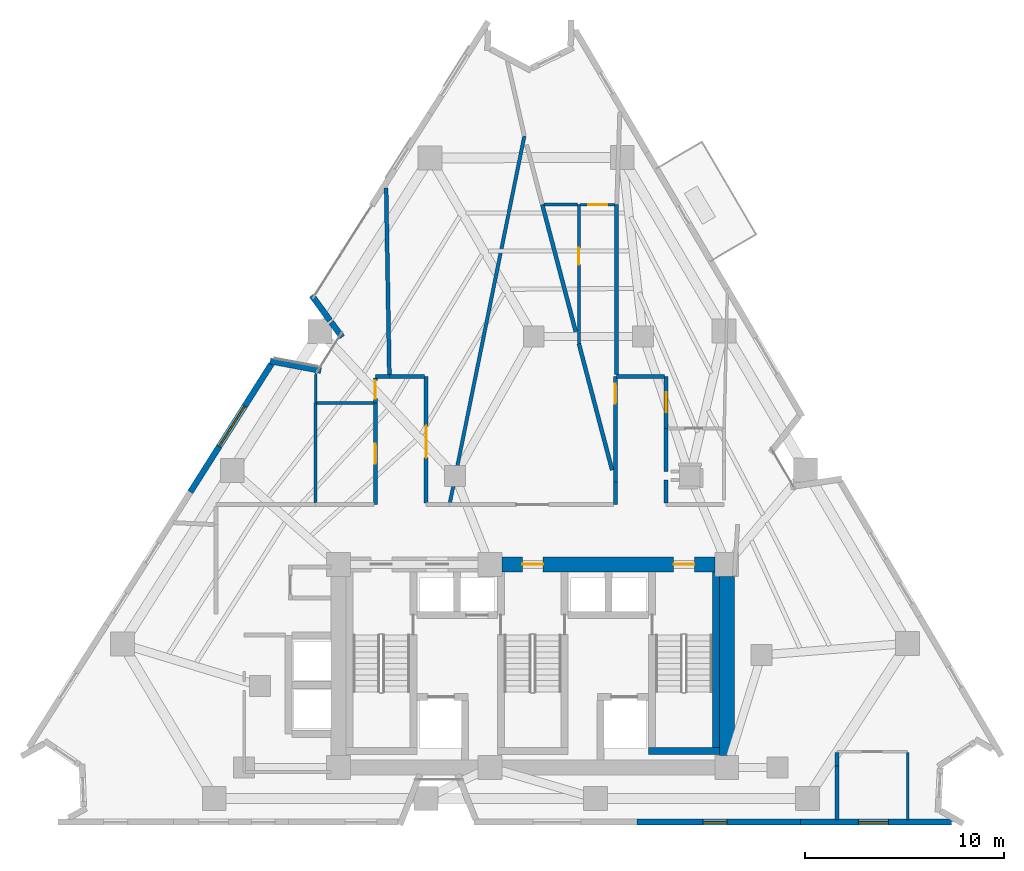
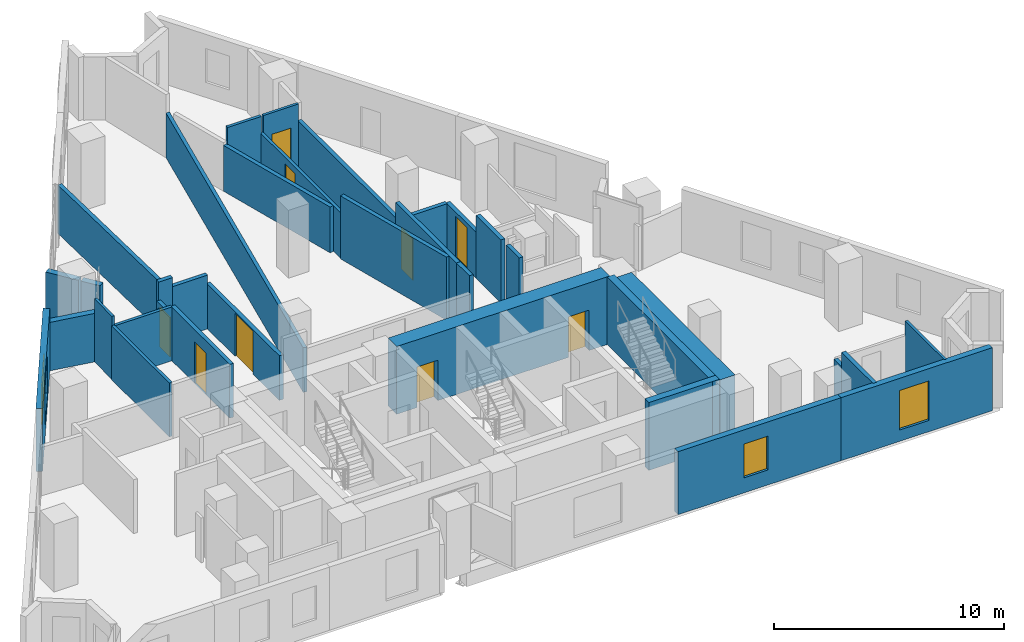
# One storey, part 7 of 11: 35 walls, 9 doors, 3 windows, 12 openings.
"""IFC4 building model written with IfcOpenShell, lengths in metres."""

from ifc_helpers import new_model, si_unit, direction, frame, frame_2d, origin, place, context, subcontext, project, spatial, rectangle, extrude, material, layer, layer_set, type_object, element, fill, save


model = new_model("IFC4")

# Units and contexts
model_context = context("Model", 3, precision=1e-05, world=origin(), true_north=direction((0.0, 1.0)))
body_context = subcontext(model_context, "Body", "Model", "MODEL_VIEW")
ifc_project = project(units=[si_unit("LENGTHUNIT", "METRE"), si_unit("AREAUNIT", "SQUARE_METRE"), si_unit("VOLUMEUNIT", "CUBIC_METRE"), si_unit("PLANEANGLEUNIT", "RADIAN"), si_unit("MASSUNIT", "GRAM", prefix="KILO")], contexts=[model_context])

# Site, building, storey
site_placement = place(None, origin())
site = spatial("IfcSite", under=ifc_project, at=site_placement, CompositionType="ELEMENT")
building_placement = place(site_placement, origin())
building = spatial("IfcBuilding", under=site, at=building_placement, Name="Almagre Mirador Tower", CompositionType="ELEMENT")
storey_placement = place(building_placement, frame((0.0, 0.0, 124.800048828125)))
storey = spatial("IfcBuildingStorey", under=building, at=storey_placement, Name="L31", CompositionType="ELEMENT", Elevation=124.800048828125)

# Walls
ifc_material_1 = material(Name="Precast concrete C50/60", Category="concrete")
ifc_layer_1 = layer(ifc_material_1, 0.300048828125)
ifc_layer_set_1 = layer_set([ifc_layer_1], Name="Precast concrete C50/60")
wall_type_1 = type_object("IfcWallType", Name="WAL-EXT-300", PredefinedType="SOLIDWALL", material=ifc_layer_set_1)
wall_1_placement = place(storey_placement, frame((24.111328125, 24.968017578125, 0.0), z_axis=(0.0, 0.0, 1.0), x_axis=(0.982733402646, -0.185027185367, 0.0)))
element("IfcWall", 1, at=wall_1_placement, inside=storey, type_object=wall_type_1, Name="L31 expressed almagre precast frame wall 01", PredefinedType="SOLIDWALL", context=body_context, shape_type="SweptSolid", body=[
    extrude(rectangle(XDim=2.593994140625, YDim=0.300048828125, at=frame_2d((1.296875, 0.0))), origin(), (0.0, 0.0, 1.0), 2.574951171875),
])
wall_2_placement = place(storey_placement, frame((27.72314453125, 26.166748046875, 0.0), z_axis=(0.0, 0.0, 1.0), x_axis=(-0.587159290159, 0.809471412701, 0.0)))
element("IfcWall", 2, at=wall_2_placement, inside=storey, type_object=wall_type_1, Name="L31 expressed almagre precast frame wall 02", PredefinedType="SOLIDWALL", context=body_context, shape_type="SweptSolid", body=[
    extrude(rectangle(XDim=0.91796875, YDim=0.300048828125, at=frame_2d((0.458984375, 0.0))), origin(), (0.0, 0.0, 1.0), 2.574951171875),
])
wall_3_placement = place(storey_placement, frame((27.11279296875, 27.008056640625, 0.0), z_axis=(0.0, 0.0, 1.0), x_axis=(-0.58731233988, 0.809360374262, 0.0)))
element("IfcWall", 3, at=wall_3_placement, inside=storey, type_object=wall_type_1, Name="L31 expressed almagre precast frame wall 03", PredefinedType="SOLIDWALL", context=body_context, shape_type="SweptSolid", body=[
    extrude(rectangle(XDim=1.5546875, YDim=0.300048828125, at=frame_2d((0.77734375, 0.0))), origin(), (0.0, 0.0, 1.0), 2.574951171875),
])

# Wall, opening, window
wall_4_placement = place(storey_placement, frame((58.344970703125, 1.800048828125, 0.0), z_axis=(0.0, 0.0, 1.0), x_axis=(-1.0, 0.0, 0.0)))
wall_4 = element("IfcWall", 4, at=wall_4_placement, inside=storey, type_object=wall_type_1, Name="L31 expressed almagre precast frame wall 21", PredefinedType="SOLIDWALL", context=body_context, shape_type="SweptSolid", body=[
    extrude(rectangle(XDim=7.603759765625, YDim=0.300048828125, at=frame_2d((3.8017578125, 0.0))), origin(), (0.0, 0.0, 1.0), 3.349853515625),
])
opening_1_placement = place(wall_4_placement, frame((3.179931640625, 0.0, 0.60009765625)))
opening_1 = element("IfcOpeningElement", 5, at=opening_1_placement, cuts=wall_4, Name="Opening WN-03", PredefinedType="OPENING", context=body_context, shape_type="SweptSolid", body=[
    extrude(rectangle(XDim=1.5, YDim=2.10009765625, at=frame_2d((0.75, 1.050048828125))), frame((0.0, 0.159902, 0.0), z_axis=(0.0, -1.0, 0.0), x_axis=(1.0, 0.0, 0.0)), (0.0, 0.0, 1.0), 0.320049),
])
ifc_material_2 = material(Name="Dark solar-control laminated hurricane glass", Category="glass")
window_type_1 = type_object("IfcWindowType", Name="WIN-1500X2100", PartitioningType="DOUBLE_PANEL_VERTICAL", PredefinedType="WINDOW", material=ifc_material_2)
window_1_placement = place(opening_1_placement, origin())
window_1 = element("IfcWindow", 6, at=window_1_placement, inside=storey, type_object=window_type_1, Name="L31 recessed hurricane window L31-UC-KT", OverallHeight=2.10009765625, OverallWidth=1.5, PartitioningType="SINGLE_PANEL", PredefinedType="WINDOW", context=body_context, shape_type="SweptSolid", body=[
    extrude(rectangle(XDim=1.5, YDim=2.10009765625, at=frame_2d((0.75, 1.050048828125))), frame((0.0, 0.030029296875, 0.0), z_axis=(0.0, -1.0, 0.0), x_axis=(1.0, 0.0, 0.0)), (0.0, 0.0, 1.0), 0.06005859375),
])
fill(opening_1, window_1)

wall_5_placement = place(storey_placement, frame((50.7412109375, 1.800048828125, 0.0), z_axis=(0.0, 0.0, 1.0), x_axis=(-1.0, 0.0, 0.0)))
wall_5 = element("IfcWall", 7, at=wall_5_placement, inside=storey, type_object=wall_type_1, Name="L31 expressed almagre precast frame wall 22", PredefinedType="SOLIDWALL", context=body_context, shape_type="SweptSolid", body=[
    extrude(rectangle(XDim=8.198486328125, YDim=0.300048828125, at=frame_2d((4.09912109375, 0.0))), origin(), (0.0, 0.0, 1.0), 3.349853515625),
])
opening_2_placement = place(wall_5_placement, frame((3.675048828125, 0.0, 0.800048828125)))
opening_2 = element("IfcOpeningElement", 8, at=opening_2_placement, cuts=wall_5, Name="Opening WN-04", PredefinedType="OPENING", context=body_context, shape_type="SweptSolid", body=[
    extrude(rectangle(XDim=1.199951171875, YDim=1.800048828125, at=frame_2d((0.60009765625, 0.89990234375))), frame((0.0, 0.159902, 0.0), z_axis=(0.0, -1.0, 0.0), x_axis=(1.0, 0.0, 0.0)), (0.0, 0.0, 1.0), 0.320049),
])
ifc_material_3 = material(Name="Dark solar-control laminated hurricane glass", Category="glass")
window_type_2 = type_object("IfcWindowType", Name="WIN-1200X1800", PartitioningType="SINGLE_PANEL", PredefinedType="WINDOW", material=ifc_material_3)
window_2_placement = place(opening_2_placement, origin())
window_2 = element("IfcWindow", 9, at=window_2_placement, inside=storey, type_object=window_type_2, Name="L31 recessed hurricane window L31-RST-B", OverallHeight=1.800048828125, OverallWidth=1.199951171875, PartitioningType="SINGLE_PANEL", PredefinedType="WINDOW", context=body_context, shape_type="SweptSolid", body=[
    extrude(rectangle(XDim=1.199951171875, YDim=1.800048828125, at=frame_2d((0.60009765625, 0.89990234375))), frame((0.0, 0.030029296875, 0.0), z_axis=(0.0, -1.0, 0.0), x_axis=(1.0, 0.0, 0.0)), (0.0, 0.0, 1.0), 0.06005859375),
])
fill(opening_2, window_2)

wall_6_placement = place(storey_placement, frame((20.10400390625, 18.39404296875, 0.0), z_axis=(0.0, 0.0, 1.0), x_axis=(0.534858194294, 0.844941839417, 0.0)))
wall_6 = element("IfcWall", 10, at=wall_6_placement, inside=storey, type_object=wall_type_1, Name="L31 expressed almagre precast frame wall 35", PredefinedType="SOLIDWALL", context=body_context, shape_type="SweptSolid", body=[
    extrude(rectangle(XDim=7.609619140625, YDim=0.300048828125, at=frame_2d((3.8046875, 0.0))), origin(), (0.0, 0.0, 1.0), 3.349853515625),
])
opening_3_placement = place(wall_6_placement, frame((2.699951171875, 0.0, 0.60009765625)))
opening_3 = element("IfcOpeningElement", 11, at=opening_3_placement, cuts=wall_6, Name="Opening WN-02", PredefinedType="OPENING", context=body_context, shape_type="SweptSolid", body=[
    extrude(rectangle(XDim=2.39990234375, YDim=2.10009765625, at=frame_2d((1.199951171875, 1.050048828125))), frame((0.0, 0.159902, 0.0), z_axis=(0.0, -1.0, 0.0), x_axis=(1.0, 0.0, 0.0)), (0.0, 0.0, 1.0), 0.320049),
])
ifc_material_4 = material(Name="Dark solar-control laminated hurricane glass", Category="glass")
window_type_3 = type_object("IfcWindowType", Name="WIN-2400X2100", PartitioningType="TRIPLE_PANEL_VERTICAL", PredefinedType="WINDOW", material=ifc_material_4)
window_3_placement = place(opening_3_placement, origin())
window_3 = element("IfcWindow", 12, at=window_3_placement, inside=storey, type_object=window_type_3, Name="L31 recessed hurricane window L31-UF-ST", OverallHeight=2.10009765625, OverallWidth=2.39990234375, PartitioningType="SINGLE_PANEL", PredefinedType="WINDOW", context=body_context, shape_type="SweptSolid", body=[
    extrude(rectangle(XDim=2.39990234375, YDim=2.10009765625, at=frame_2d((1.199951171875, 1.050048828125))), frame((0.0, 0.030029296875, 0.0), z_axis=(0.0, -1.0, 0.0), x_axis=(1.0, 0.0, 0.0)), (0.0, 0.0, 1.0), 0.06005859375),
])
fill(opening_3, window_3)

# Walls
ifc_material_5 = material(Name="Gypsum acoustic stud partition", Category="other")
ifc_layer_2 = layer(ifc_material_5, 0.125)
ifc_layer_set_2 = layer_set([ifc_layer_2], Name="Gypsum acoustic stud partition")
wall_type_2 = type_object("IfcWallType", Name="WAL-PRT-125-UTL", PredefinedType="PARTITIONING", material=ifc_layer_set_2)
wall_7_placement = place(storey_placement, frame((56.1298828125, 1.89990234375, 0.0), z_axis=(0.0, 0.0, 1.0), x_axis=(0.0, 1.0, 0.0)))
element("IfcWall", 13, at=wall_7_placement, inside=storey, type_object=wall_type_2, Name="L31 interior partition 037", PredefinedType="PARTITIONING", context=body_context, shape_type="SweptSolid", body=[
    extrude(rectangle(XDim=3.402587890625, YDim=0.125, at=frame_2d((1.701171875, 0.0))), origin(), (0.0, 0.0, 1.0), 3.349853515625),
])
wall_8_placement = place(storey_placement, frame((26.389892578125, 22.860107421875, 0.0), z_axis=(0.0, 0.0, 1.0), x_axis=(0.016180651537, 0.999869084689, 0.0)))
element("IfcWall", 14, at=wall_8_placement, inside=storey, type_object=wall_type_2, Name="L31 interior partition 048", PredefinedType="PARTITIONING", context=body_context, shape_type="SweptSolid", body=[
    extrude(rectangle(XDim=1.5390625, YDim=0.125, at=frame_2d((0.76953125, 0.0))), origin(), (0.0, 0.0, 1.0), 3.349853515625),
])

# Wall, opening, door
wall_9_placement = place(storey_placement, frame((41.43505859375, 32.830078125, 0.0), z_axis=(0.0, 0.0, 1.0), x_axis=(-1.0, 0.0, 0.0)))
wall_9 = element("IfcWall", 15, at=wall_9_placement, inside=storey, type_object=wall_type_2, Name="L31 interior partition 062", PredefinedType="PARTITIONING", context=body_context, shape_type="SweptSolid", body=[
    extrude(rectangle(XDim=1.755126953125, YDim=0.125, at=frame_2d((0.87744140625, 0.0))), origin(), (0.0, 0.0, 1.0), 3.349853515625),
])
opening_4_placement = place(wall_9_placement, frame((0.389892578125, 0.0, 0.0)))
opening_4 = element("IfcOpeningElement", 16, at=opening_4_placement, cuts=wall_9, Name="Opening UD-01", PredefinedType="OPENING", context=body_context, shape_type="SweptSolid", body=[
    extrude(rectangle(XDim=0.949951171875, YDim=2.199951171875, at=frame_2d((0.47509765625, 1.10009765625))), frame((0.0, 0.0725, 0.0), z_axis=(0.0, -1.0, 0.0), x_axis=(1.0, 0.0, 0.0)), (0.0, 0.0, 1.0), 0.145),
])
ifc_material_6 = material(Name="Solid American walnut timber", Category="wood")
door_type_1 = type_object("IfcDoorType", Name="DOR-UNR-950X2200", OperationType="NOTDEFINED", PredefinedType="DOOR", material=ifc_material_6)
door_1_placement = place(opening_4_placement, origin())
door_1 = element("IfcDoor", 17, at=door_1_placement, inside=storey, type_object=door_type_1, Name="DR-1026 L31 interior door L31-UK-ST to L31-UK-KT", OperationType="SINGLE_SWING_RIGHT", OverallHeight=2.199951171875, OverallWidth=0.949951171875, PredefinedType="DOOR", context=body_context, shape_type="SweptSolid", body=[
    extrude(rectangle(XDim=0.949951171875, YDim=2.199951171875, at=frame_2d((0.47509765625, 1.10009765625))), frame((0.0, 0.02490234375, 0.0), z_axis=(0.0, -1.0, 0.0), x_axis=(1.0, 0.0, 0.0)), (0.0, 0.0, 1.0), 0.050048828125),
])
fill(opening_4, door_1)

# Walls
ifc_material_7 = material(Name="Gypsum acoustic stud partition", Category="other")
ifc_layer_3 = layer(ifc_material_7, 0.14990234375)
ifc_layer_set_3 = layer_set([ifc_layer_3], Name="Gypsum acoustic stud partition")
wall_type_3 = type_object("IfcWallType", Name="WAL-PRT-150-STD", PredefinedType="PARTITIONING", material=ifc_layer_set_3)
wall_10_placement = place(storey_placement, frame((26.389892578125, 17.8349609375, 0.0), z_axis=(0.0, 0.0, 1.0), x_axis=(0.0, 1.0, 0.0)))
element("IfcWall", 18, at=wall_10_placement, inside=storey, type_object=wall_type_3, Name="L31 interior partition 047", PredefinedType="PARTITIONING", context=body_context, shape_type="SweptSolid", body=[
    extrude(rectangle(XDim=5.025146484375, YDim=0.14990234375, at=frame_2d((2.5126953125, 0.0))), origin(), (0.0, 0.0, 1.0), 2.85986328125),
])
wall_11_placement = place(storey_placement, frame((29.31494140625, 22.860107421875, 0.0), z_axis=(0.0, 0.0, 1.0), x_axis=(-1.0, 0.0, 0.0)))
element("IfcWall", 19, at=wall_11_placement, inside=storey, type_object=wall_type_3, Name="L31 interior partition 049", PredefinedType="PARTITIONING", context=body_context, shape_type="SweptSolid", body=[
    extrude(rectangle(XDim=2.864990234375, YDim=0.14990234375, at=frame_2d((1.4326171875, 0.0))), origin(), (0.0, 0.0, 1.0), 2.85986328125),
])

# Wall, opening, door
wall_12_placement = place(storey_placement, frame((39.6201171875, 32.830078125, 0.0), z_axis=(0.0, 0.0, 1.0), x_axis=(0.0, -1.0, 0.0)))
wall_12 = element("IfcWall", 20, at=wall_12_placement, inside=storey, type_object=wall_type_3, Name="L31 interior partition 061", PredefinedType="PARTITIONING", context=body_context, shape_type="SweptSolid", body=[
    extrude(rectangle(XDim=6.989990234375, YDim=0.14990234375, at=frame_2d((3.4951171875, 0.0))), origin(), (0.0, 0.0, 1.0), 2.43603515625),
])
opening_5_placement = place(wall_12_placement, frame((2.173095703125, 0.0, 0.0)))
opening_5 = element("IfcOpeningElement", 21, at=opening_5_placement, cuts=wall_12, Name="Opening UD-04", PredefinedType="OPENING", context=body_context, shape_type="SweptSolid", body=[
    extrude(rectangle(XDim=0.85009765625, YDim=2.10009765625, at=frame_2d((0.425048828125, 1.050048828125))), frame((0.0, 0.084951, 0.0), z_axis=(0.0, -1.0, 0.0), x_axis=(1.0, 0.0, 0.0)), (0.0, 0.0, 1.0), 0.169902),
])
ifc_material_8 = material(Name="Moisture-resistant oak timber", Category="wood")
door_type_2 = type_object("IfcDoorType", Name="DOR-UNR-850X2100", OperationType="NOTDEFINED", PredefinedType="DOOR", material=ifc_material_8)
door_2_placement = place(opening_5_placement, origin())
door_2 = element("IfcDoor", 22, at=door_2_placement, inside=storey, type_object=door_type_2, Name="DR-1027 L31 interior door L31-UK-ST to L31-UK-BT", OperationType="SINGLE_SWING_LEFT", OverallHeight=2.10009765625, OverallWidth=0.85009765625, PredefinedType="DOOR", context=body_context, shape_type="SweptSolid", body=[
    extrude(rectangle(XDim=0.85009765625, YDim=2.10009765625, at=frame_2d((0.425048828125, 1.050048828125))), frame((0.0, 0.02490234375, 0.0), z_axis=(0.0, -1.0, 0.0), x_axis=(1.0, 0.0, 0.0)), (0.0, 0.0, 1.0), 0.050048828125),
])
fill(opening_5, door_2)

# Walls
wall_13_placement = place(storey_placement, frame((39.56005859375, 32.830078125, 0.0), z_axis=(0.0, 0.0, 1.0), x_axis=(-1.0, 0.0, 0.0)))
element("IfcWall", 23, at=wall_13_placement, inside=storey, type_object=wall_type_3, Name="L31 interior partition 063", PredefinedType="PARTITIONING", context=body_context, shape_type="SweptSolid", body=[
    extrude(rectangle(XDim=1.695068359375, YDim=0.14990234375, at=frame_2d((0.84765625, 0.0))), origin(), (0.0, 0.0, 1.0), 3.349853515625),
])
ifc_material_9 = material(Name="Gypsum acoustic stud partition", Category="other")
ifc_layer_4 = layer(ifc_material_9, 0.175048828125)
ifc_layer_set_4 = layer_set([ifc_layer_4], Name="Gypsum acoustic stud partition")
wall_type_4 = type_object("IfcWallType", Name="WAL-PRT-175-AC", PredefinedType="PARTITIONING", material=ifc_layer_set_4)
wall_14_placement = place(storey_placement, frame((36.8798828125, 36.27001953125, 0.0), z_axis=(0.0, 0.0, 1.0), x_axis=(-0.198955349965, -0.980008555432, 0.0)))
element("IfcWall", 24, at=wall_14_placement, inside=storey, type_object=wall_type_4, Name="L31 interior partition 051", PredefinedType="PARTITIONING", context=body_context, shape_type="SweptSolid", body=[
    extrude(rectangle(XDim=18.812744140625, YDim=0.175048828125, at=frame_2d((9.40625, 0.0))), origin(), (0.0, 0.0, 1.0), 2.3720703125),
])

# Wall, opening, door
ifc_material_10 = material(Name="Gypsum acoustic stud partition", Category="other")
ifc_layer_5 = layer(ifc_material_10, 0.199951171875)
ifc_layer_set_5 = layer_set([ifc_layer_5], Name="Gypsum acoustic stud partition")
wall_type_5 = type_object("IfcWallType", Name="WAL-PRT-200-EI60", PredefinedType="PARTITIONING", material=ifc_layer_set_5)
wall_15_placement = place(storey_placement, frame((29.39990234375, 22.860107421875, 0.0), z_axis=(0.0, 0.0, 1.0), x_axis=(0.0, -1.0, 0.0)))
wall_15 = element("IfcWall", 25, at=wall_15_placement, inside=storey, type_object=wall_type_5, Name="L31 interior partition 006", PredefinedType="PARTITIONING", context=body_context, shape_type="SweptSolid", body=[
    extrude(rectangle(XDim=5.110107421875, YDim=0.199951171875, at=frame_2d((2.55517578125, 0.0))), origin(), (0.0, 0.0, 1.0), 2.85986328125),
])
opening_6_placement = place(wall_15_placement, frame((2.054931640625, 0.0, 0.0)))
opening_6 = element("IfcOpeningElement", 26, at=opening_6_placement, cuts=wall_15, Name="Opening ID-01", PredefinedType="OPENING", context=body_context, shape_type="SweptSolid", body=[
    extrude(rectangle(XDim=1.0, YDim=2.199951171875, at=frame_2d((0.5, 1.10009765625))), frame((0.0, 0.110098, 0.0), z_axis=(0.0, -1.0, 0.0), x_axis=(1.0, 0.0, 0.0)), (0.0, 0.0, 1.0), 0.219951),
])
ifc_material_11 = material(Name="Fire-rated walnut timber", Category="wood")
door_type_3 = type_object("IfcDoorType", Name="DOR-FD60-1000X2200", OperationType="NOTDEFINED", PredefinedType="DOOR", material=ifc_material_11)
door_3_placement = place(opening_6_placement, origin())
door_3 = element("IfcDoor", 27, at=door_3_placement, inside=storey, type_object=door_type_3, Name="DR-1029 L31 interior door L31-RCOR to L31-UF-BT", OperationType="SINGLE_SWING_RIGHT", OverallHeight=2.199951171875, OverallWidth=1.0, PredefinedType="DOOR", context=body_context, shape_type="SweptSolid", body=[
    extrude(rectangle(XDim=1.0, YDim=2.199951171875, at=frame_2d((0.5, 1.10009765625))), frame((0.0, 0.02490234375, 0.0), z_axis=(0.0, -1.0, 0.0), x_axis=(1.0, 0.0, 0.0)), (0.0, 0.0, 1.0), 0.050048828125),
])
fill(opening_6, door_3)

# Wall
wall_16_placement = place(storey_placement, frame((30.10009765625, 24.199951171875, 0.0), z_axis=(0.0, 0.0, 1.0), x_axis=(-1.0, 0.0, 0.0)))
element("IfcWall", 28, at=wall_16_placement, inside=storey, type_object=wall_type_5, Name="L31 interior partition 008", PredefinedType="PARTITIONING", context=body_context, shape_type="SweptSolid", body=[
    extrude(rectangle(XDim=0.7001953125, YDim=0.199951171875, at=frame_2d((0.35009765625, 0.0))), origin(), (0.0, 0.0, 1.0), 3.349853515625),
])

# Wall, opening, door
wall_17_placement = place(storey_placement, frame((29.39990234375, 24.114990234375, 0.0), z_axis=(0.0, 0.0, 1.0), x_axis=(0.0, -1.0, 0.0)))
wall_17 = element("IfcWall", 29, at=wall_17_placement, inside=storey, type_object=wall_type_5, Name="L31 interior partition 009", PredefinedType="PARTITIONING", context=body_context, shape_type="SweptSolid", body=[
    extrude(rectangle(XDim=1.2548828125, YDim=0.199951171875, at=frame_2d((0.62744140625, 0.0))), origin(), (0.0, 0.0, 1.0), 2.3720703125),
])
opening_7_placement = place(wall_17_placement, frame((0.135009765625, 0.0, 0.0)))
opening_7 = element("IfcOpeningElement", 30, at=opening_7_placement, cuts=wall_17, Name="Opening ID-03", PredefinedType="OPENING", context=body_context, shape_type="SweptSolid", body=[
    extrude(rectangle(XDim=0.89990234375, YDim=2.10009765625, at=frame_2d((0.449951171875, 1.050048828125))), frame((0.0, 0.110098, 0.0), z_axis=(0.0, -1.0, 0.0), x_axis=(1.0, 0.0, 0.0)), (0.0, 0.0, 1.0), 0.219951),
])
ifc_material_12 = material(Name="Fire-rated hollow steel", Category="steel")
door_type_4 = type_object("IfcDoorType", Name="DOR-FD60-900X2100", OperationType="NOTDEFINED", PredefinedType="DOOR", material=ifc_material_12)
door_4_placement = place(opening_7_placement, origin())
door_4 = element("IfcDoor", 31, at=door_4_placement, inside=storey, type_object=door_type_4, Name="DR-1028 L31 interior door L31-RCOR to L31-UF-KT", OperationType="SINGLE_SWING_LEFT", OverallHeight=2.10009765625, OverallWidth=0.89990234375, PredefinedType="DOOR", context=body_context, shape_type="SweptSolid", body=[
    extrude(rectangle(XDim=0.89990234375, YDim=2.10009765625, at=frame_2d((0.449951171875, 1.050048828125))), frame((0.0, 0.02490234375, 0.0), z_axis=(0.0, -1.0, 0.0), x_axis=(1.0, 0.0, 0.0)), (0.0, 0.0, 1.0), 0.050048828125),
])
fill(opening_7, door_4)

# Wall
wall_18_placement = place(storey_placement, frame((41.449951171875, 18.8798828125, 0.0), z_axis=(0.0, 0.0, 1.0), x_axis=(0.0, -1.0, 0.0)))
element("IfcWall", 32, at=wall_18_placement, inside=storey, type_object=wall_type_5, Name="L31 interior partition 010", PredefinedType="PARTITIONING", context=body_context, shape_type="SweptSolid", body=[
    extrude(rectangle(XDim=1.1298828125, YDim=0.199951171875, at=frame_2d((0.56494140625, 0.0))), origin(), (0.0, 0.0, 1.0), 3.349853515625),
])

# Wall, opening, door
wall_19_placement = place(storey_placement, frame((44.0, 21.580078125, 0.0), z_axis=(0.0, 0.0, 1.0), x_axis=(0.0, 1.0, 0.0)))
wall_19 = element("IfcWall", 33, at=wall_19_placement, inside=storey, type_object=wall_type_5, Name="L31 interior partition 012", PredefinedType="PARTITIONING", context=body_context, shape_type="SweptSolid", body=[
    extrude(rectangle(XDim=2.619873046875, YDim=0.199951171875, at=frame_2d((1.31005859375, 0.0))), origin(), (0.0, 0.0, 1.0), 2.43603515625),
])
opening_8_placement = place(wall_19_placement, frame((0.81005859375, 0.0, 0.0)))
opening_8 = element("IfcOpeningElement", 34, at=opening_8_placement, cuts=wall_19, Name="Opening ID-01", PredefinedType="OPENING", context=body_context, shape_type="SweptSolid", body=[
    extrude(rectangle(XDim=1.0, YDim=2.199951171875, at=frame_2d((0.5, 1.10009765625))), frame((0.0, 0.110098, 0.0), z_axis=(0.0, -1.0, 0.0), x_axis=(1.0, 0.0, 0.0)), (0.0, 0.0, 1.0), 0.219951),
])
door_5_placement = place(opening_8_placement, origin())
door_5 = element("IfcDoor", 35, at=door_5_placement, inside=storey, type_object=door_type_3, Name="DR-1023 L31 interior door L31-RCOR to L31-UH-ST", OperationType="SINGLE_SWING_RIGHT", OverallHeight=2.199951171875, OverallWidth=1.0, PredefinedType="DOOR", context=body_context, shape_type="SweptSolid", body=[
    extrude(rectangle(XDim=1.0, YDim=2.199951171875, at=frame_2d((0.5, 1.10009765625))), frame((0.0, 0.02490234375, 0.0), z_axis=(0.0, -1.0, 0.0), x_axis=(1.0, 0.0, 0.0)), (0.0, 0.0, 1.0), 0.050048828125),
])
fill(opening_8, door_5)

# Walls
wall_20_placement = place(storey_placement, frame((43.9150390625, 24.199951171875, 0.0), z_axis=(0.0, 0.0, 1.0), x_axis=(-1.0, 0.0, 0.0)))
element("IfcWall", 36, at=wall_20_placement, inside=storey, type_object=wall_type_5, Name="L31 interior partition 013", PredefinedType="PARTITIONING", context=body_context, shape_type="SweptSolid", body=[
    extrude(rectangle(XDim=2.39501953125, YDim=0.199951171875, at=frame_2d((1.197509765625, 0.0))), origin(), (0.0, 0.0, 1.0), 2.43603515625),
])
wall_21_placement = place(storey_placement, frame((44.0, 17.8349609375, 0.0), z_axis=(0.0, 0.0, 1.0), x_axis=(0.0, 1.0, 0.0)))
element("IfcWall", 37, at=wall_21_placement, inside=storey, type_object=wall_type_5, Name="L31 interior partition 015", PredefinedType="PARTITIONING", context=body_context, shape_type="SweptSolid", body=[
    extrude(rectangle(XDim=1.14501953125, YDim=0.199951171875, at=frame_2d((0.572509765625, 0.0))), origin(), (0.0, 0.0, 1.0), 3.349853515625),
])
wall_22_placement = place(storey_placement, frame((44.0, 19.419921875, 0.0), z_axis=(0.0, 0.0, 1.0), x_axis=(0.0, 1.0, 0.0)))
element("IfcWall", 38, at=wall_22_placement, inside=storey, type_object=wall_type_5, Name="L31 interior partition 016", PredefinedType="PARTITIONING", context=body_context, shape_type="SweptSolid", body=[
    extrude(rectangle(XDim=2.16015625, YDim=0.199951171875, at=frame_2d((1.080078125, 0.0))), origin(), (0.0, 0.0, 1.0), 3.349853515625),
])

# Wall, opening, door
wall_23_placement = place(storey_placement, frame((31.949951171875, 17.8349609375, 0.0), z_axis=(0.0, 0.0, 1.0), x_axis=(0.0, 1.0, 0.0)))
wall_23 = element("IfcWall", 39, at=wall_23_placement, inside=storey, type_object=wall_type_5, Name="L31 interior partition 018", PredefinedType="PARTITIONING", context=body_context, shape_type="SweptSolid", body=[
    extrude(rectangle(XDim=6.364990234375, YDim=0.199951171875, at=frame_2d((3.1826171875, 0.0))), origin(), (0.0, 0.0, 1.0), 2.3720703125),
])
opening_9_placement = place(wall_23_placement, frame((2.281494140625, 0.0, 0.0)))
opening_9 = element("IfcOpeningElement", 40, at=opening_9_placement, cuts=wall_23, Name="Opening ID-05", PredefinedType="OPENING", context=body_context, shape_type="SweptSolid", body=[
    extrude(rectangle(XDim=1.60009765625, YDim=2.300048828125, at=frame_2d((0.800048828125, 1.14990234375))), frame((0.0, 0.110098, 0.0), z_axis=(0.0, -1.0, 0.0), x_axis=(1.0, 0.0, 0.0)), (0.0, 0.0, 1.0), 0.219951),
])
ifc_material_13 = material(Name="Fire-rated acoustic timber", Category="wood")
door_type_5 = type_object("IfcDoorType", Name="DOR-FD60-1600X2300", OperationType="DOUBLE_DOOR_SINGLE_SWING", PredefinedType="DOOR", material=ifc_material_13)
door_6_placement = place(opening_9_placement, origin())
door_6 = element("IfcDoor", 41, at=door_6_placement, inside=storey, type_object=door_type_5, Name="DR-1021 L31 interior door L31-RCOR to L31-RST-J", OperationType="DOUBLE_DOOR_SINGLE_SWING", OverallHeight=2.300048828125, OverallWidth=1.60009765625, PredefinedType="DOOR", context=body_context, shape_type="SweptSolid", body=[
    extrude(rectangle(XDim=1.60009765625, YDim=2.300048828125, at=frame_2d((0.800048828125, 1.14990234375))), frame((0.0, 0.02490234375, 0.0), z_axis=(0.0, -1.0, 0.0), x_axis=(1.0, 0.0, 0.0)), (0.0, 0.0, 1.0), 0.050048828125),
])
fill(opening_9, door_6)

# Wall
wall_24_placement = place(storey_placement, frame((31.864990234375, 24.199951171875, 0.0), z_axis=(0.0, 0.0, 1.0), x_axis=(-1.0, 0.0, 0.0)))
element("IfcWall", 42, at=wall_24_placement, inside=storey, type_object=wall_type_5, Name="L31 interior partition 019", PredefinedType="PARTITIONING", context=body_context, shape_type="SweptSolid", body=[
    extrude(rectangle(XDim=1.764892578125, YDim=0.199951171875, at=frame_2d((0.88232421875, 0.0))), origin(), (0.0, 0.0, 1.0), 2.85986328125),
])

# Wall, opening, door
wall_25_placement = place(storey_placement, frame((41.449951171875, 24.18505859375, 0.0), z_axis=(0.0, 0.0, 1.0), x_axis=(0.0, -1.0, 0.0)))
wall_25 = element("IfcWall", 43, at=wall_25_placement, inside=storey, type_object=wall_type_5, Name="L31 interior partition 020", PredefinedType="PARTITIONING", context=body_context, shape_type="SweptSolid", body=[
    extrude(rectangle(XDim=5.30517578125, YDim=0.199951171875, at=frame_2d((2.652587890625, 0.0))), origin(), (0.0, 0.0, 1.0), 3.349853515625),
])
opening_10_placement = place(wall_25_placement, frame((0.362548828125, 0.0, 0.0)))
opening_10 = element("IfcOpeningElement", 44, at=opening_10_placement, cuts=wall_25, Name="Opening ID-01", PredefinedType="OPENING", context=body_context, shape_type="SweptSolid", body=[
    extrude(rectangle(XDim=1.0, YDim=2.199951171875, at=frame_2d((0.5, 1.10009765625))), frame((0.0, 0.110098, 0.0), z_axis=(0.0, -1.0, 0.0), x_axis=(1.0, 0.0, 0.0)), (0.0, 0.0, 1.0), 0.219951),
])
door_7_placement = place(opening_10_placement, origin())
door_7 = element("IfcDoor", 45, at=door_7_placement, inside=storey, type_object=door_type_3, Name="DR-1025 L31 interior door L31-RCOR to L31-UK-ST", OperationType="SINGLE_SWING_LEFT", OverallHeight=2.199951171875, OverallWidth=1.0, PredefinedType="DOOR", context=body_context, shape_type="SweptSolid", body=[
    extrude(rectangle(XDim=1.0, YDim=2.199951171875, at=frame_2d((0.5, 1.10009765625))), frame((0.0, 0.02490234375, 0.0), z_axis=(0.0, -1.0, 0.0), x_axis=(1.0, 0.0, 0.0)), (0.0, 0.0, 1.0), 0.050048828125),
])
fill(opening_10, door_7)

# Walls
wall_26_placement = place(storey_placement, frame((52.580078125, 4.6201171875, 0.0), z_axis=(0.0, 0.0, 1.0), x_axis=(0.0, -1.0, 0.0)))
element("IfcWall", 46, at=wall_26_placement, inside=storey, type_object=wall_type_5, Name="L31 interior partition 038", PredefinedType="PARTITIONING", context=body_context, shape_type="SweptSolid", body=[
    extrude(rectangle(XDim=2.72021484375, YDim=0.199951171875, at=frame_2d((1.360107421875, 0.0))), origin(), (0.0, 0.0, 1.0), 3.349853515625),
])
wall_27_placement = place(storey_placement, frame((52.580078125, 5.302490234375, 0.0), z_axis=(0.0, 0.0, 1.0), x_axis=(0.0, -1.0, 0.0)))
element("IfcWall", 47, at=wall_27_placement, inside=storey, type_object=wall_type_5, Name="L31 interior partition 039", PredefinedType="PARTITIONING", context=body_context, shape_type="SweptSolid", body=[
    extrude(rectangle(XDim=0.682373046875, YDim=0.199951171875, at=frame_2d((0.34130859375, 0.0))), origin(), (0.0, 0.0, 1.0), 2.570068359375),
])
wall_28_placement = place(storey_placement, frame((30.098876953125, 24.284912109375, 0.0), z_axis=(0.0, 0.0, 1.0), x_axis=(-0.017270245909, 0.999850858181, 0.0)))
element("IfcWall", 48, at=wall_28_placement, inside=storey, type_object=wall_type_5, Name="L31 interior partition 050", PredefinedType="PARTITIONING", context=body_context, shape_type="SweptSolid", body=[
    extrude(rectangle(XDim=9.37255859375, YDim=0.199951171875, at=frame_2d((4.686279296875, 0.0))), origin(), (0.0, 0.0, 1.0), 2.570068359375),
])
wall_29_placement = place(storey_placement, frame((41.2900390625, 19.489013671875, 0.0), z_axis=(0.0, 0.0, 1.0), x_axis=(-0.254291997568, 0.967127488997, 0.0)))
element("IfcWall", 49, at=wall_29_placement, inside=storey, type_object=wall_type_5, Name="L31 interior partition 052", PredefinedType="PARTITIONING", context=body_context, shape_type="SweptSolid", body=[
    extrude(rectangle(XDim=6.56689453125, YDim=0.199951171875, at=frame_2d((3.283447265625, 0.0))), origin(), (0.0, 0.0, 1.0), 3.349853515625),
])
wall_30_placement = place(storey_placement, frame((39.4599609375, 26.447998046875, 0.0), z_axis=(0.0, 0.0, 1.0), x_axis=(-0.254555210874, 0.967058242619, 0.0)))
element("IfcWall", 50, at=wall_30_placement, inside=storey, type_object=wall_type_5, Name="L31 interior partition 053", PredefinedType="PARTITIONING", context=body_context, shape_type="SweptSolid", body=[
    extrude(rectangle(XDim=6.599365234375, YDim=0.199951171875, at=frame_2d((3.2998046875, 0.0))), origin(), (0.0, 0.0, 1.0), 2.43603515625),
])
wall_31_placement = place(storey_placement, frame((41.52001953125, 24.284912109375, 0.0), z_axis=(0.0, 0.0, 1.0), x_axis=(0.0, 1.0, 0.0)))
element("IfcWall", 51, at=wall_31_placement, inside=storey, type_object=wall_type_5, Name="L31 interior partition 057", PredefinedType="PARTITIONING", context=body_context, shape_type="SweptSolid", body=[
    extrude(rectangle(XDim=8.545166015625, YDim=0.199951171875, at=frame_2d((4.2724609375, 0.0))), origin(), (0.0, 0.0, 1.0), 2.43603515625),
])
ifc_material_14 = material(Name="Concrete C60/75", Category="concrete")
ifc_layer_6 = layer(ifc_material_14, 0.35009765625)
ifc_layer_set_6 = layer_set([ifc_layer_6], Name="Concrete C60/75")
wall_type_6 = type_object("IfcWallType", Name="WAL-SHF-350", PredefinedType="SOLIDWALL", material=ifc_layer_set_6)
wall_32_placement = place(storey_placement, frame((46.5, 5.199951171875, 0.0), z_axis=(0.0, 0.0, 1.0), x_axis=(0.0, 1.0, 0.0)))
element("IfcWall", 52, at=wall_32_placement, inside=storey, type_object=wall_type_6, Name="L31 shaft wall ST3-E", PredefinedType="SOLIDWALL", context=body_context, shape_type="SweptSolid", body=[
    extrude(rectangle(XDim=9.175048828125, YDim=0.35009765625, at=frame_2d((4.58740234375, 0.0))), origin(), (0.0, 0.0, 1.0), 3.599853515625),
])
wall_33_placement = place(storey_placement, frame((43.125, 5.375, 0.0), z_axis=(0.0, 0.0, 1.0), x_axis=(1.0, 0.0, 0.0)))
element("IfcWall", 53, at=wall_33_placement, inside=storey, type_object=wall_type_6, Name="L31 shaft wall ST3-S", PredefinedType="SOLIDWALL", context=body_context, shape_type="SweptSolid", body=[
    extrude(rectangle(XDim=3.550048828125, YDim=0.35009765625, at=frame_2d((1.77490234375, 0.0))), origin(), (0.0, 0.0, 1.0), 3.599853515625),
])

# Wall, openings, doors
ifc_material_15 = material(Name="Concrete C60/75", Category="concrete")
ifc_layer_7 = layer(ifc_material_15, 0.75)
ifc_layer_set_7 = layer_set([ifc_layer_7], Name="Concrete C60/75")
wall_type_7 = type_object("IfcWallType", Name="WAL-SHR-750", PredefinedType="SHEAR", material=ifc_layer_set_7)
wall_34_placement = place(storey_placement, frame((35.75, 14.75, 0.0), z_axis=(0.0, 0.0, 1.0), x_axis=(1.0, 0.0, 0.0)))
wall_34 = element("IfcWall", 54, at=wall_34_placement, inside=storey, type_object=wall_type_7, Name="L31 core shear wall N2", PredefinedType="SHEAR", context=body_context, shape_type="SweptSolid", body=[
    extrude(rectangle(XDim=10.699951171875, YDim=0.75, at=frame_2d((5.35009765625, 0.0))), origin(), (0.0, 0.0, 1.0), 3.599853515625),
])
opening_11_placement = place(wall_34_placement, frame((1.02490234375, 0.0, 0.0)))
opening_11 = element("IfcOpeningElement", 55, at=opening_11_placement, cuts=wall_34, Name="Opening SD-01", PredefinedType="OPENING", context=body_context, shape_type="SweptSolid", body=[
    extrude(rectangle(XDim=1.050048828125, YDim=2.14990234375, at=frame_2d((0.52490234375, 1.074951171875))), frame((0.0, 0.385, 0.0), z_axis=(0.0, -1.0, 0.0), x_axis=(1.0, 0.0, 0.0)), (0.0, 0.0, 1.0), 0.77),
])
opening_12_placement = place(wall_34_placement, frame((8.625, 0.0, 0.0)))
opening_12 = element("IfcOpeningElement", 56, at=opening_12_placement, cuts=wall_34, Name="Opening SD-01", PredefinedType="OPENING", context=body_context, shape_type="SweptSolid", body=[
    extrude(rectangle(XDim=1.050048828125, YDim=2.14990234375, at=frame_2d((0.52490234375, 1.074951171875))), frame((0.0, 0.385, 0.0), z_axis=(0.0, -1.0, 0.0), x_axis=(1.0, 0.0, 0.0)), (0.0, 0.0, 1.0), 0.77),
])
ifc_material_16 = material(Name="Fire-rated hollow steel", Category="steel")
door_type_6 = type_object("IfcDoorType", Name="DOR-ST-1050X2150", OperationType="NOTDEFINED", PredefinedType="DOOR", material=ifc_material_16)
door_8_placement = place(opening_11_placement, origin())
door_8 = element("IfcDoor", 57, at=door_8_placement, inside=storey, type_object=door_type_6, Name="DR-1035 L31 protected exit stair ST-2 door", OperationType="SINGLE_SWING_RIGHT", OverallHeight=2.14990234375, OverallWidth=1.050048828125, PredefinedType="DOOR", context=body_context, shape_type="SweptSolid", body=[
    extrude(rectangle(XDim=1.050048828125, YDim=2.14990234375, at=frame_2d((0.52490234375, 1.074951171875))), frame((0.0, 0.02490234375, 0.0), z_axis=(0.0, -1.0, 0.0), x_axis=(1.0, 0.0, 0.0)), (0.0, 0.0, 1.0), 0.050048828125),
])
fill(opening_11, door_8)
door_9_placement = place(opening_12_placement, origin())
door_9 = element("IfcDoor", 58, at=door_9_placement, inside=storey, type_object=door_type_6, Name="DR-1036 L31 protected exit stair ST-3 door", OperationType="SINGLE_SWING_LEFT", OverallHeight=2.14990234375, OverallWidth=1.050048828125, PredefinedType="DOOR", context=body_context, shape_type="SweptSolid", body=[
    extrude(rectangle(XDim=1.050048828125, YDim=2.14990234375, at=frame_2d((0.52490234375, 1.074951171875))), frame((0.0, 0.02490234375, 0.0), z_axis=(0.0, -1.0, 0.0), x_axis=(1.0, 0.0, 0.0)), (0.0, 0.0, 1.0), 0.050048828125),
])
fill(opening_12, door_9)

# Wall
wall_35_placement = place(storey_placement, frame((47.050048828125, 5.14990234375, 0.0), z_axis=(0.0, 0.0, 1.0), x_axis=(0.0, 1.0, 0.0)))
element("IfcWall", 59, at=wall_35_placement, inside=storey, type_object=wall_type_7, Name="L31 core shear wall E1", PredefinedType="SHEAR", context=body_context, shape_type="SweptSolid", body=[
    extrude(rectangle(XDim=9.0, YDim=0.75, at=frame_2d((4.5, 0.0))), origin(), (0.0, 0.0, 1.0), 3.599853515625),
])

save(model, "model.ifc")
